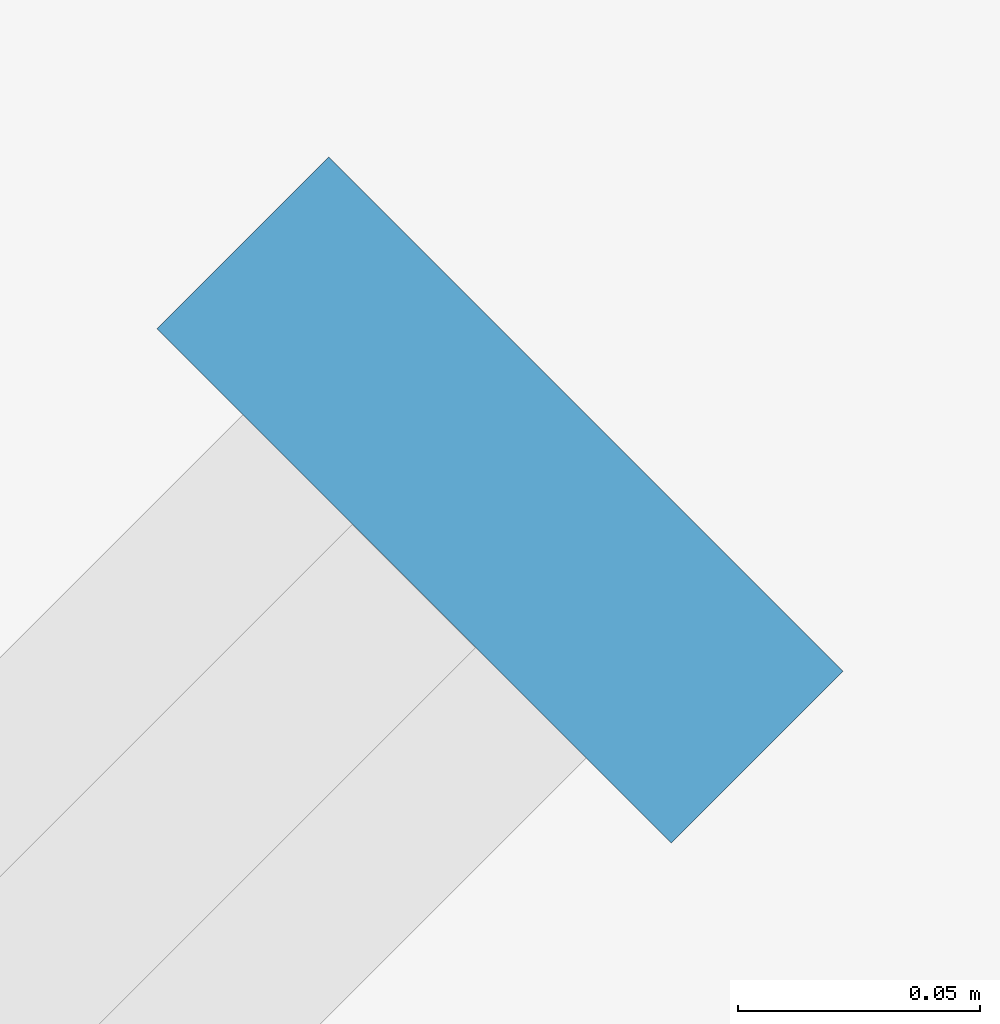
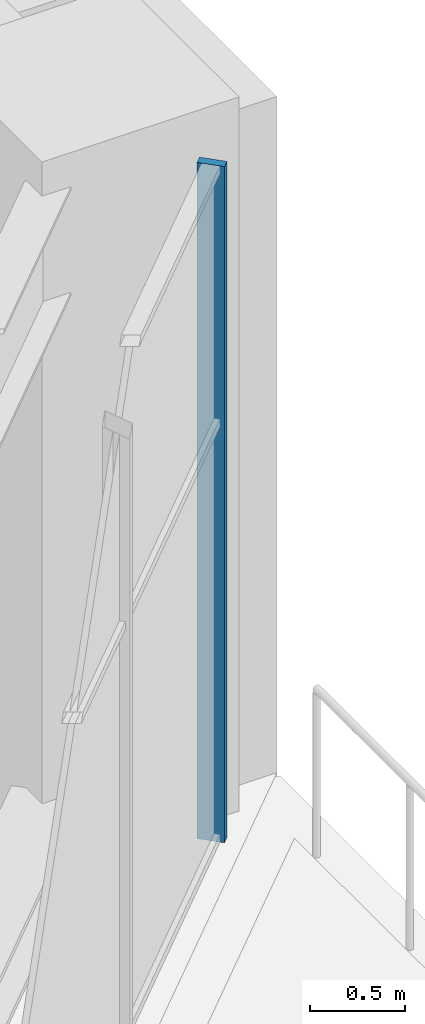
# One storey, part 10 of 21: 1 member, 1 element without a shape of its own.
"""IFC4 building model written with IfcOpenShell, lengths in metres."""

import ifcopenshell
import ifcopenshell.guid

model = None  # the IFC model being written
_history = None  # IfcOwnerHistory: only IFC2X3 demands one
_inside = {}  # id of a spatial element -> (the spatial element, [elements in it])
_under = {}  # id of a project, library or spatial element -> (it, [spatial elements below it])
_declared = {}  # id of a project -> (the project, [libraries it declares])
_typed = {}  # id of a type object -> (the type object, [elements of that type])
_made_of = {}  # id of a material, layer set ... -> (it, [elements and type objects made of it])


def new_model(schema):
    """Start an empty IFC model of exactly this schema.

    Asked for "IFC4X3", IfcOpenShell would pick the latest addendum, in which some entities
    have other attributes; the version numbers below select the first issue.
    IFC2X3 requires an IfcOwnerHistory on every rooted entity: one is made here for all.
    """
    global model, _history
    if schema == "IFC4X3":
        model = ifcopenshell.file(schema_version=(4, 3, 0, 0))
    else:
        model = ifcopenshell.file(schema=schema)
    _inside.clear()
    _under.clear()
    _declared.clear()
    _typed.clear()
    _made_of.clear()
    _history = None
    if model.schema == "IFC2X3":
        org = make("IfcOrganization", Name="unknown")
        user = make(
            "IfcPersonAndOrganization",
            ThePerson=make("IfcPerson", FamilyName="unknown"),
            TheOrganization=org,
        )
        app = make(
            "IfcApplication",
            ApplicationDeveloper=org,
            Version="unknown",
            ApplicationFullName="unknown",
            ApplicationIdentifier="unknown",
        )
        _history = make(
            "IfcOwnerHistory",
            OwningUser=user,
            OwningApplication=app,
            ChangeAction="ADDED",
            CreationDate=0,
        )
    return model


def make(cls, **values):
    """One entity of the class cls with the attributes given. An attribute that is None is left unset."""
    return model.create_entity(
        cls, **{name: value for name, value in values.items() if value is not None}
    )


def rooted(cls, **values):
    """An entity with a GlobalId (a new one), such as an element, a storey or a relation."""
    return make(cls, GlobalId=ifcopenshell.guid.new(), OwnerHistory=_history, **values)


def si_unit(unit_type, name, prefix=None):
    """IfcSIUnit, for example si_unit("LENGTHUNIT", "METRE", prefix="MILLI")."""
    return make("IfcSIUnit", UnitType=unit_type, Prefix=prefix, Name=name)


def assignment(units):
    """IfcUnitAssignment: the units of a project."""
    return None if units is None else make("IfcUnitAssignment", Units=units)


def point(xyz):
    """IfcCartesianPoint."""
    return None if xyz is None else make("IfcCartesianPoint", Coordinates=xyz)


def direction(xyz):
    """IfcDirection."""
    return None if xyz is None else make("IfcDirection", DirectionRatios=xyz)


def frame(location, z_axis=None, x_axis=None):
    """IfcAxis2Placement3D, a coordinate frame: its origin and axes. An axis left out is left unset."""
    return make(
        "IfcAxis2Placement3D",
        Location=point(location),
        Axis=direction(z_axis),
        RefDirection=direction(x_axis),
    )


def frame_2d(location, x_axis=None):
    """IfcAxis2Placement2D, a coordinate frame in the plane: its origin and x axis."""
    return make(
        "IfcAxis2Placement2D", Location=point(location), RefDirection=direction(x_axis)
    )


def origin():
    """The frame at (0, 0, 0) with its axes left unset."""
    return frame((0.0, 0.0, 0.0))


def origin_2d():
    """The frame at (0, 0) in the plane with its x axis left unset."""
    return frame_2d((0.0, 0.0))


def place(relative_to, where):
    """IfcLocalPlacement: puts the frame where relative to a parent placement (None: the world)."""
    return make(
        "IfcLocalPlacement", PlacementRelTo=relative_to, RelativePlacement=where
    )


def context(
    kind, dimensions, precision=None, world=None, true_north=None, identifier=None
):
    """IfcGeometricRepresentationContext, for example the 3D "Model" context."""
    return make(
        "IfcGeometricRepresentationContext",
        ContextIdentifier=identifier,
        ContextType=kind,
        CoordinateSpaceDimension=dimensions,
        Precision=precision,
        WorldCoordinateSystem=world,
        TrueNorth=true_north,
    )


def subcontext(parent, identifier, kind, view, scale=None):
    """IfcGeometricRepresentationSubContext, for example "Body" below "Model"."""
    return make(
        "IfcGeometricRepresentationSubContext",
        ContextIdentifier=identifier,
        ContextType=kind,
        ParentContext=parent,
        TargetScale=scale,
        TargetView=view,
    )


def project(units=None, contexts=None):
    """IfcProject with its units and contexts."""
    return rooted(
        "IfcProject",
        Name="project",
        RepresentationContexts=contexts,
        UnitsInContext=assignment(units),
    )


def spatial(cls, under=None, at=None, **own):
    """A site, building, storey or space (cls), placed at a placement, below another one or the project."""
    s = rooted(cls, ObjectPlacement=at, **own)
    if under is not None:
        _under.setdefault(under.id(), (under, []))[1].append(s)
    return s


def profile(cls, at=None, kind="AREA", **sizes):
    """A parametric profile (cls). Its sizes go by their IFC names, for example OverallWidth=200.0."""
    return make(cls, ProfileType=kind, Position=at, **sizes)


def rectangle(**sizes):
    """IfcRectangleProfileDef."""
    return profile("IfcRectangleProfileDef", **sizes)


def extrude(swept, where, along, depth):
    """IfcExtrudedAreaSolid: the profile swept, set in the frame where, extruded along a direction by depth."""
    return make(
        "IfcExtrudedAreaSolid",
        SweptArea=swept,
        Position=where,
        ExtrudedDirection=direction(along),
        Depth=depth,
    )


def shape(context_of_items, identifier, shape_type, items):
    """IfcShapeRepresentation: the items that make up one representation, for example the "Body"."""
    return make(
        "IfcShapeRepresentation",
        ContextOfItems=context_of_items,
        RepresentationIdentifier=identifier,
        RepresentationType=shape_type,
        Items=items,
    )


def material(Name=None, Category=None):
    """IfcMaterial."""
    return make("IfcMaterial", Name=Name, Category=Category)


def constituent(of_material, Name=None, Category=None, fraction=None):
    """IfcMaterialConstituent: one of the materials an element consists of."""
    return make(
        "IfcMaterialConstituent",
        Name=Name,
        Material=of_material,
        Fraction=fraction,
        Category=Category,
    )


def constituent_set(constituents=None, Name=None):
    """IfcMaterialConstituentSet."""
    return make(
        "IfcMaterialConstituentSet", Name=Name, MaterialConstituents=constituents
    )


def material_profile(
    of_material, cross_section, Name=None, Category=None, Priority=None
):
    """IfcMaterialProfile: a cross section and its material."""
    return make(
        "IfcMaterialProfile",
        Name=Name,
        Material=of_material,
        Profile=cross_section,
        Priority=Priority,
        Category=Category,
    )


def profile_set(profiles, Name=None, composite=None):
    """IfcMaterialProfileSet."""
    return make(
        "IfcMaterialProfileSet",
        Name=Name,
        MaterialProfiles=profiles,
        CompositeProfile=composite,
    )


def made_of(thing, what):
    """Note that an element or type object is made of a material, layer set ...; save() writes the relation."""
    if what is not None:
        _made_of.setdefault(what.id(), (what, []))[1].append(thing)
    return thing


def type_object(cls, material=None, **own):
    """A type object (cls), such as IfcWallType, which elements share."""
    return made_of(rooted(cls, **own), material)


def element(
    cls,
    number,
    at=None,
    inside=None,
    cuts=None,
    type_object=None,
    material=None,
    context=None,
    identifier="Body",
    shape_type=None,
    held_by="IfcProductDefinitionShape",
    body=None,
    shapes=None,
    **own,
):
    """One element of the class cls, such as IfcWall. Its Tag is "e" and its number.

    at: its placement. inside: the storey or other place that contains it. cuts: it is an
    opening in that element (IfcRelVoidsElement). A single representation is given by context,
    identifier, shape_type and body (its items); several are given by shapes. held_by: the class
    of the entity that holds the representations. save() writes the other relations.
    """
    e = rooted(cls, Tag="e%d" % number, ObjectPlacement=at, **own)
    if body is not None:
        shapes = [shape(context, identifier, shape_type, body)]
    if shapes is not None:
        e.Representation = make(held_by, Representations=shapes)
    if inside is not None:
        _inside.setdefault(inside.id(), (inside, []))[1].append(e)
    if cuts is not None:
        rooted(
            "IfcRelVoidsElement", RelatingBuildingElement=cuts, RelatedOpeningElement=e
        )
    if type_object is not None:
        _typed.setdefault(type_object.id(), (type_object, []))[1].append(e)
    return made_of(e, material)


def aggregate(whole, parts):
    """IfcRelAggregates: a whole, such as a stair, and the parts it consists of."""
    return rooted("IfcRelAggregates", RelatingObject=whole, RelatedObjects=parts)


def save(model, path):
    """Write the relations noted so far, then the file.

    IfcRelAggregates (storeys below a building ...), IfcRelContainedInSpatialStructure (elements
    in a storey), IfcRelDefinesByType, IfcRelAssociatesMaterial and IfcRelDeclares: one each for
    every whole, place, type object, material and project.
    """
    for whole, parts in _under.values():
        aggregate(whole, parts)
    for where, things in _inside.values():
        rooted(
            "IfcRelContainedInSpatialStructure",
            RelatedElements=things,
            RelatingStructure=where,
        )
    for kind, things in _typed.values():
        rooted("IfcRelDefinesByType", RelatedObjects=things, RelatingType=kind)
    for what, things in _made_of.values():
        rooted("IfcRelAssociatesMaterial", RelatedObjects=things, RelatingMaterial=what)
    for by, libraries in _declared.values():
        rooted("IfcRelDeclares", RelatingContext=by, RelatedDefinitions=libraries)
    model.write(path)


model = new_model("IFC4")

# Units and contexts
model_context = context("Model", 3, precision=1e-05, world=origin(), true_north=direction((0.0, 1.0)))
body_context = subcontext(model_context, "Body", "Model", "MODEL_VIEW")
ifc_project = project(units=[si_unit("LENGTHUNIT", "METRE"), si_unit("AREAUNIT", "SQUARE_METRE"), si_unit("VOLUMEUNIT", "CUBIC_METRE"), si_unit("PLANEANGLEUNIT", "RADIAN"), si_unit("MASSUNIT", "GRAM", prefix="KILO")], contexts=[model_context])

# Site, building, storey
site_placement = place(None, origin())
site = spatial("IfcSite", under=ifc_project, at=site_placement, CompositionType="ELEMENT")
building_placement = place(site_placement, origin())
building = spatial("IfcBuilding", under=site, at=building_placement, Name="Quoin Convention Tower", CompositionType="ELEMENT")
storey_placement = place(building_placement, frame((0.0, 0.0, 18.5)))
storey = spatial("IfcBuildingStorey", under=building, at=storey_placement, Name="L03", CompositionType="ELEMENT", Elevation=18.5)

# Curtain wall, member
ifc_material_1 = material(Name="Aluminium", Category="aluminium")
ifc_constituent_1 = constituent(ifc_material_1, Name="Frame")
ifc_material_2 = material(Name="Insulated glass", Category="glass")
ifc_constituent_2 = constituent(ifc_material_2, Name="Glazing")
ifc_constituent_set = constituent_set(constituents=[ifc_constituent_1, ifc_constituent_2], Name="Aluminium")
curtain_wall_type = type_object("IfcCurtainWallType", Name="Sky lobby glazing system", PredefinedType="NOTDEFINED", material=ifc_constituent_set)
curtain_wall_placement = place(storey_placement, origin())
curtain_wall = element("IfcCurtainWall", 1, at=curtain_wall_placement, inside=storey, type_object=curtain_wall_type, Name="cw-SKY-L03-72548_39952", PredefinedType="NOTDEFINED")
ifc_material_profile = material_profile(ifc_material_1, rectangle(XDim=0.14990234375, YDim=0.050048828125, at=origin_2d()), Name="Sky lobby glazing mullion 50x150")
ifc_profile_set = profile_set([ifc_material_profile], Name="Aluminium")
member_type = type_object("IfcMemberType", Name="Sky lobby glazing mullion 50x150", PredefinedType="MULLION", material=ifc_profile_set)
member_placement = place(storey_placement, frame((76.8525390625, 44.256591796875, 0.0), z_axis=(0.0, 0.0, 1.0), x_axis=(-0.707106781187, 0.707106781187, 0.0)))
member = element("IfcMember", 2, at=member_placement, type_object=member_type, Name="CW3 mullion 4", PredefinedType="MULLION", context=body_context, shape_type="SweptSolid", body=[
    extrude(rectangle(XDim=0.14990234375, YDim=0.050048828125, at=origin_2d()), origin(), (0.0, 0.0, 1.0), 4.35498046875),
])
aggregate(curtain_wall, [member])

save(model, "model.ifc")
